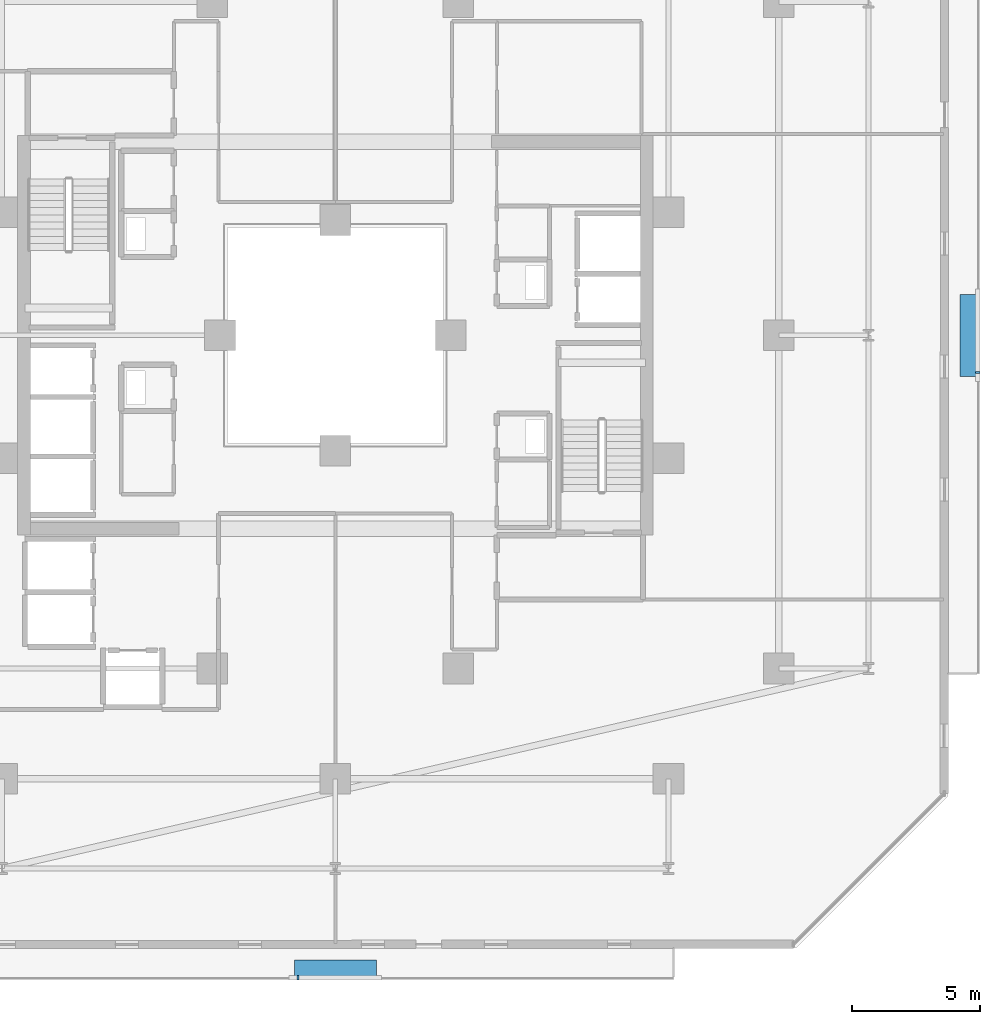
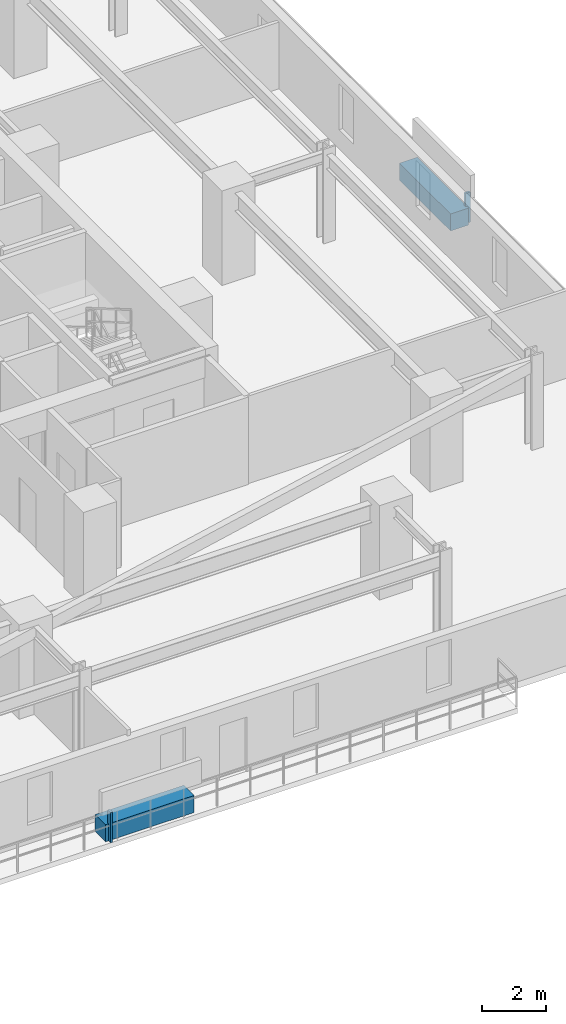
# One storey, part 27 of 32: 4 discrete accessories.
"""IFC4 building model written with IfcOpenShell, lengths in metres."""

from ifc_helpers import new_model, si_unit, direction, frame, origin, origin_2d, place, context, subcontext, project, spatial, rectangle, extrude, material, type_object, element, save


model = new_model("IFC4")

# Units and contexts
model_context = context("Model", 3, precision=1e-05, world=origin(), true_north=direction((0.0, 1.0)))
body_context = subcontext(model_context, "Body", "Model", "MODEL_VIEW")
ifc_project = project(units=[si_unit("LENGTHUNIT", "METRE"), si_unit("AREAUNIT", "SQUARE_METRE"), si_unit("VOLUMEUNIT", "CUBIC_METRE"), si_unit("PLANEANGLEUNIT", "RADIAN"), si_unit("MASSUNIT", "GRAM", prefix="KILO")], contexts=[model_context])

# Site, building, storey
site_placement = place(None, origin())
site = spatial("IfcSite", under=ifc_project, at=site_placement, CompositionType="ELEMENT")
building_placement = place(site_placement, origin())
building = spatial("IfcBuilding", under=site, at=building_placement, Name="Thornwick Lancets Civic Towers", CompositionType="ELEMENT")
storey_placement = place(building_placement, frame((0.0, 0.0, 123.300048828125)))
storey = spatial("IfcBuildingStorey", under=building, at=storey_placement, Name="L32", CompositionType="ELEMENT", Elevation=123.300048828125)

# Discrete accessories
ifc_material_1 = material(Name="Planted terracotta greenery planter", Category="masonry")
discrete_accessory_type_1 = type_object("IfcDiscreteAccessoryType", Name="ACC_PLANTER_BOX", PredefinedType="USERDEFINED", material=ifc_material_1)
discrete_accessory_1_placement = place(storey_placement, frame((88.5, 2.300048828125, 0.0), z_axis=(0.0, 0.0, 1.0), x_axis=(1.0, 0.0, 0.0)))
element("IfcDiscreteAccessory", 1, at=discrete_accessory_1_placement, inside=storey, type_object=discrete_accessory_type_1, Name="L32 Tower B Balcony Greenery Planter S", ObjectType="PLANTER", PredefinedType="USERDEFINED", context=body_context, shape_type="SweptSolid", body=[
    extrude(rectangle(XDim=3.199951171875, YDim=0.64990234375, at=origin_2d()), origin(), (0.0, 0.0, 1.0), 0.64990234375),
])
discrete_accessory_2_placement = place(storey_placement, frame((113.199951171875, 27.0, 0.0), z_axis=(0.0, 0.0, 1.0), x_axis=(1.0, 0.0, 0.0)))
element("IfcDiscreteAccessory", 2, at=discrete_accessory_2_placement, inside=storey, type_object=discrete_accessory_type_1, Name="L32 Tower B Balcony Greenery Planter E", ObjectType="PLANTER", PredefinedType="USERDEFINED", context=body_context, shape_type="SweptSolid", body=[
    extrude(rectangle(XDim=0.64990234375, YDim=3.199951171875, at=origin_2d()), origin(), (0.0, 0.0, 1.0), 0.64990234375),
])
ifc_material_2 = material(Name="Stainless steel S355", Category="steel")
discrete_accessory_type_2 = type_object("IfcDiscreteAccessoryType", Name="ACC_SCREEN_BRACKET", PredefinedType="BRACKET", material=ifc_material_2)
for number, where, z_axis, x_axis, name in (
    (3, (87.050048828125, 1.93994140625, 0.0), (0.0, 0.0, 1.0), (1.0, 0.0, 0.0), "L32 Tower B Balcony Screen Stanchion Bracket S-1"),
    (4, (113.56005859375, 25.550048828125, 0.0), (0.0, 0.0, 1.0), (0.0, 1.0, 0.0), "L32 Tower B Balcony Screen Stanchion Bracket E-1"),
):
    element("IfcDiscreteAccessory", number, at=place(storey_placement, frame(where, z_axis=z_axis, x_axis=x_axis)), inside=storey, type_object=discrete_accessory_type_2, Name=name, PredefinedType="BRACKET", context=body_context, shape_type="SweptSolid", body=[
        extrude(rectangle(XDim=0.080078125, YDim=0.179931640625, at=origin_2d()), origin(), (0.0, 0.0, 1.0), 1.14990234375),
    ])

save(model, "model.ifc")
